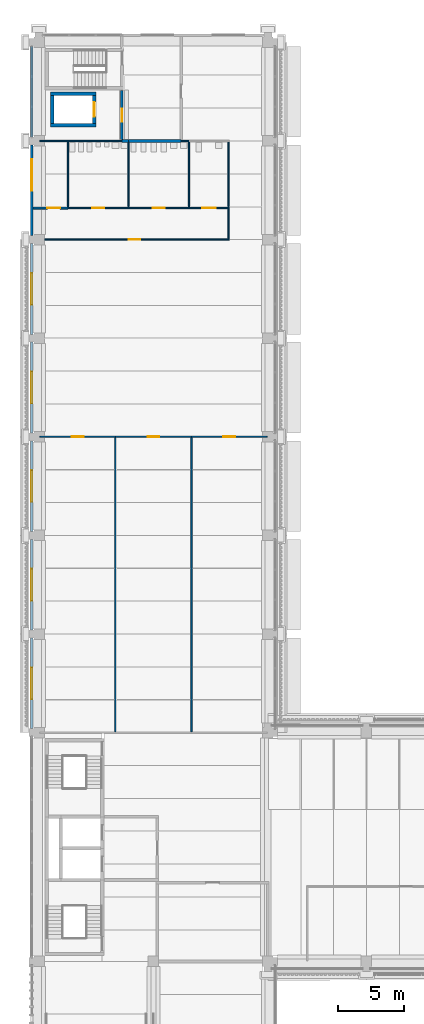
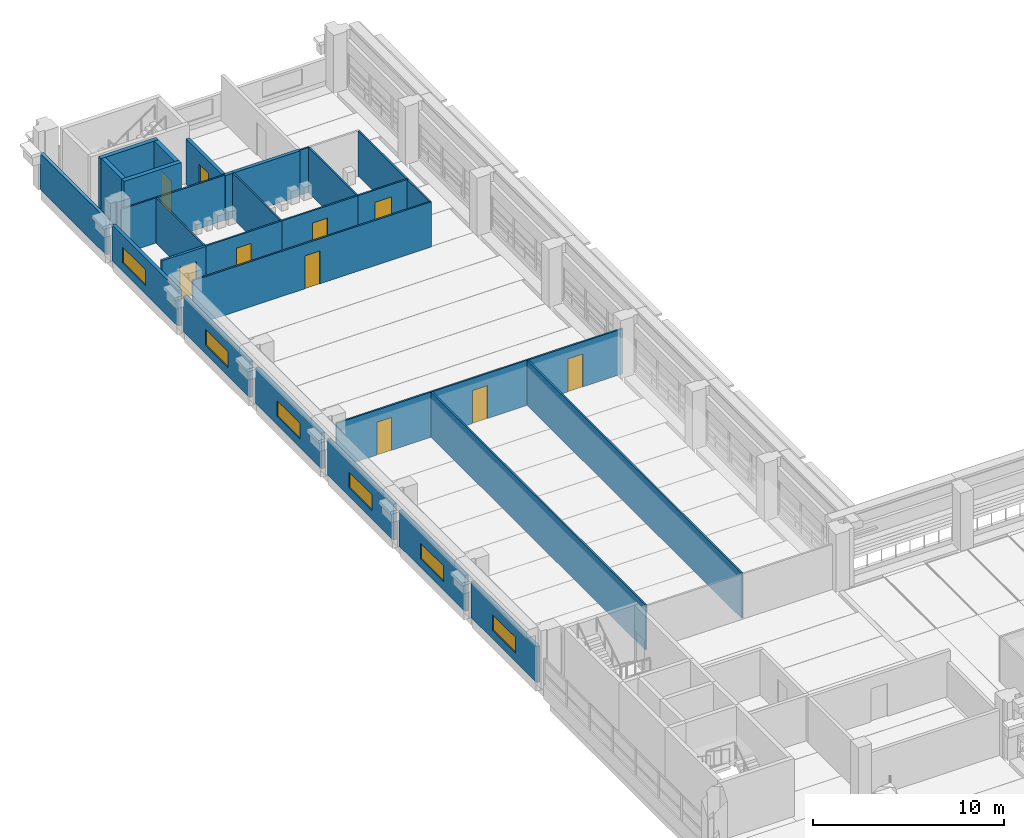
# One storey, part 33 of 71: 32 walls, 10 doors, 6 windows, 16 openings.
"""IFC4 building model written with IfcOpenShell, lengths in metres."""

from ifc_helpers import new_model, si_unit, direction, frame, frame_2d, origin, place, context, subcontext, project, spatial, rectangle, extrude, material, layer, layer_set, type_object, element, fill, save


model = new_model("IFC4")

# Units and contexts
model_context = context("Model", 3, precision=1e-05, world=origin(), true_north=direction((0.0, 1.0)))
body_context = subcontext(model_context, "Body", "Model", "MODEL_VIEW")
ifc_project = project(units=[si_unit("LENGTHUNIT", "METRE"), si_unit("AREAUNIT", "SQUARE_METRE"), si_unit("VOLUMEUNIT", "CUBIC_METRE"), si_unit("PLANEANGLEUNIT", "RADIAN"), si_unit("MASSUNIT", "GRAM", prefix="KILO")], contexts=[model_context])

# Site, building, storey
site_placement = place(None, origin())
site = spatial("IfcSite", under=ifc_project, at=site_placement, CompositionType="ELEMENT")
building_placement = place(site_placement, origin())
building = spatial("IfcBuilding", under=site, at=building_placement, Name="Cour d'Honneur Mobility Palace", CompositionType="ELEMENT")
storey_placement = place(building_placement, frame((0.0, 0.0, 15.60009765625)))
storey = spatial("IfcBuildingStorey", under=building, at=storey_placement, Name="L04", CompositionType="ELEMENT", Elevation=15.60009765625)

# Walls
ifc_material_1 = material(Name="Concrete C50", Category="concrete")
ifc_layer_1 = layer(ifc_material_1, 0.25)
ifc_layer_set_1 = layer_set([ifc_layer_1], Name="Concrete C50")
wall_type_1 = type_object("IfcWallType", Name="Lift shaft wall 250", PredefinedType="SHEAR", material=ifc_layer_set_1)
for number, where, z_axis, x_axis, name in (
    (1, (0.875, 108.60009765625, 0.0), (0.0, 0.0, 1.0), (1.0, 0.0, 0.0), "Lift shaft wall WL-NW1 L04"),
    (2, (0.875, 111.0, 0.0), (0.0, 0.0, 1.0), (1.0, 0.0, 0.0), "Lift shaft wall WL-NW2 L04"),
):
    element("IfcWall", number, at=place(storey_placement, frame(where, z_axis=z_axis, x_axis=x_axis)), inside=storey, type_object=wall_type_1, Name=name, PredefinedType="SHEAR", context=body_context, shape_type="SweptSolid", body=[
        extrude(rectangle(XDim=3.449951171875, YDim=0.25, at=frame_2d((1.72509765625, 0.0))), origin(), (0.0, 0.0, 1.0), 3.699951171875),
    ])
wall_1_placement = place(storey_placement, frame((1.0, 108.72509765625, 0.0), z_axis=(0.0, 0.0, 1.0), x_axis=(0.0, 1.0, 0.0)))
element("IfcWall", 3, at=wall_1_placement, inside=storey, type_object=wall_type_1, Name="Lift shaft wall WL-NW6 L04", PredefinedType="SHEAR", context=body_context, shape_type="SweptSolid", body=[
    extrude(rectangle(XDim=2.14990234375, YDim=0.25, at=frame_2d((1.074951171875, 0.0))), origin(), (0.0, 0.0, 1.0), 3.699951171875),
])

# Wall, opening, door
wall_2_placement = place(storey_placement, frame((4.199951171875, 108.72509765625, 0.0), z_axis=(0.0, 0.0, 1.0), x_axis=(0.0, 1.0, 0.0)))
wall_2 = element("IfcWall", 4, at=wall_2_placement, inside=storey, type_object=wall_type_1, Name="Lift shaft wall WL-NW7 L04", PredefinedType="SHEAR", context=body_context, shape_type="SweptSolid", body=[
    extrude(rectangle(XDim=2.14990234375, YDim=0.25, at=frame_2d((1.074951171875, 0.0))), origin(), (0.0, 0.0, 1.0), 3.699951171875),
])
opening_1_placement = place(wall_2_placement, frame((0.52490234375, 0.0, 0.0)))
opening_1 = element("IfcOpeningElement", 5, at=opening_1_placement, cuts=wall_2, Name="Opening LD57", PredefinedType="OPENING", context=body_context, shape_type="SweptSolid", body=[
    extrude(rectangle(XDim=1.10009765625, YDim=2.10009765625, at=frame_2d((0.550048828125, 1.050048828125))), frame((0.0, 0.135009765625, 0.0), z_axis=(0.0, -1.0, 0.0), x_axis=(1.0, 0.0, 0.0)), (0.0, 0.0, 1.0), 0.27001953125),
])
ifc_material_2 = material(Name="Stainless steel", Category="steel")
door_type_1 = type_object("IfcDoorType", Name="Landing door 1100 x 2100", OperationType="SLIDING_TO_LEFT", PredefinedType="DOOR", material=ifc_material_2)
door_1_placement = place(opening_1_placement, origin())
door_1 = element("IfcDoor", 6, at=door_1_placement, inside=storey, type_object=door_type_1, Name="Landing door LF-NW1 L04", OperationType="SLIDING_TO_LEFT", OverallHeight=2.10009765625, OverallWidth=1.10009765625, PredefinedType="DOOR", context=body_context, shape_type="SweptSolid", body=[
    extrude(rectangle(XDim=1.10009765625, YDim=2.10009765625, at=frame_2d((0.550048828125, 1.050048828125))), frame((0.0, 0.02490234375, 0.0), z_axis=(0.0, -1.0, 0.0), x_axis=(1.0, 0.0, 0.0)), (0.0, 0.0, 1.0), 0.050048828125),
])
fill(opening_1, door_1)

ifc_material_3 = material(Name="Concrete C50", Category="concrete")
ifc_layer_2 = layer(ifc_material_3, 0.199951171875)
ifc_layer_set_2 = layer_set([ifc_layer_2], Name="Concrete C50")
wall_type_2 = type_object("IfcWallType", Name="Load-bearing lobby wall 200 rated EI 120", PredefinedType="PARTITIONING", material=ifc_layer_set_2)
wall_3_placement = place(storey_placement, frame((6.300048828125, 111.22509765625, 0.0), z_axis=(0.0, 0.0, 1.0), x_axis=(0.0, -1.0, 0.0)))
wall_3 = element("IfcWall", 7, at=wall_3_placement, inside=storey, type_object=wall_type_2, Name="Partition 106", PredefinedType="PARTITIONING", context=body_context, shape_type="SweptSolid", body=[
    extrude(rectangle(XDim=3.72509765625, YDim=0.199951171875, at=frame_2d((1.862548828125, 0.0))), origin(), (0.0, 0.0, 1.0), 2.8798828125),
])
opening_2_placement = place(wall_3_placement, frame((1.362548828125, 0.0, 0.0)))
opening_2 = element("IfcOpeningElement", 8, at=opening_2_placement, cuts=wall_3, Name="Opening D0438", PredefinedType="OPENING", context=body_context, shape_type="SweptSolid", body=[
    extrude(rectangle(XDim=1.0, YDim=2.10009765625, at=frame_2d((0.5, 1.050048828125))), frame((0.0, 0.10986328125, 0.0), z_axis=(0.0, -1.0, 0.0), x_axis=(1.0, 0.0, 0.0)), (0.0, 0.0, 1.0), 0.219970703125),
])
ifc_material_4 = material(Name="Galvanised steel", Category="steel")
door_type_2 = type_object("IfcDoorType", Name="Fire door FD120 1000 x 2100", OperationType="SINGLE_SWING_LEFT", PredefinedType="DOOR", material=ifc_material_4)
door_2_placement = place(opening_2_placement, origin())
door_2 = element("IfcDoor", 9, at=door_2_placement, inside=storey, type_object=door_type_2, Name="Door Lift Lobby", OperationType="SINGLE_SWING_RIGHT", OverallHeight=2.10009765625, OverallWidth=1.0, PredefinedType="DOOR", context=body_context, shape_type="SweptSolid", body=[
    extrude(rectangle(XDim=1.0, YDim=2.10009765625, at=frame_2d((0.5, 1.050048828125))), frame((0.0, 0.02490234375, 0.0), z_axis=(0.0, -1.0, 0.0), x_axis=(1.0, 0.0, 0.0)), (0.0, 0.0, 1.0), 0.050048828125),
])
fill(opening_2, door_2)

# Walls
ifc_material_5 = material(Name="Gypsum plasterboard")
ifc_layer_3 = layer(ifc_material_5, 0.10009765625)
ifc_layer_set_3 = layer_set([ifc_layer_3], Name="Gypsum plasterboard")
wall_type_3 = type_object("IfcWallType", Name="Partition 100", PredefinedType="PARTITIONING", material=ifc_layer_set_3)
for number, where, z_axis, x_axis, name in (
    (10, (5.800048828125, 62.449951171875, 0.0), (0.0, 0.0, 1.0), (0.0, 1.0, 0.0), "Partition 060"),
    (11, (11.60009765625, 62.449951171875, 0.0), (0.0, 0.0, 1.0), (0.0, 1.0, 0.0), "Partition 062"),
):
    element("IfcWall", number, at=place(storey_placement, frame(where, z_axis=z_axis, x_axis=x_axis)), inside=storey, type_object=wall_type_3, Name=name, PredefinedType="PARTITIONING", context=body_context, shape_type="SweptSolid", body=[
        extrude(rectangle(XDim=22.400146484375, YDim=0.10009765625, at=frame_2d((11.2001953125, 0.0))), origin(), (0.0, 0.0, 1.0), 2.8798828125),
    ])

# Wall, opening, door
wall_4_placement = place(storey_placement, frame((5.800048828125, 84.89990234375, 0.0), z_axis=(0.0, 0.0, 1.0), x_axis=(-1.0, 0.0, 0.0)))
wall_4 = element("IfcWall", 12, at=wall_4_placement, inside=storey, type_object=wall_type_3, Name="Partition 066", PredefinedType="PARTITIONING", context=body_context, shape_type="SweptSolid", body=[
    extrude(rectangle(XDim=5.739990234375, YDim=0.10009765625, at=frame_2d((2.8701171875, 0.0))), origin(), (0.0, 0.0, 1.0), 2.8798828125),
])
opening_3_placement = place(wall_4_placement, frame((2.419921875, 0.0, 0.0)))
opening_3 = element("IfcOpeningElement", 13, at=opening_3_placement, cuts=wall_4, Name="Opening D0421", PredefinedType="OPENING", context=body_context, shape_type="SweptSolid", body=[
    extrude(rectangle(XDim=0.89990234375, YDim=2.10009765625, at=frame_2d((0.449951171875, 1.050048828125))), frame((0.0, 0.06005859375, 0.0), z_axis=(0.0, -1.0, 0.0), x_axis=(1.0, 0.0, 0.0)), (0.0, 0.0, 1.0), 0.1201171875),
])
ifc_material_6 = material(Name="Solid timber", Category="wood")
door_type_3 = type_object("IfcDoorType", Name="Single door 900 x 2100", OperationType="SINGLE_SWING_LEFT", PredefinedType="DOOR", material=ifc_material_6)
door_3_placement = place(opening_3_placement, origin())
door_3 = element("IfcDoor", 14, at=door_3_placement, inside=storey, type_object=door_type_3, Name="Door Cycle Academy Classroom", OperationType="SINGLE_SWING_RIGHT", OverallHeight=2.10009765625, OverallWidth=0.89990234375, PredefinedType="DOOR", context=body_context, shape_type="SweptSolid", body=[
    extrude(rectangle(XDim=0.89990234375, YDim=2.10009765625, at=frame_2d((0.449951171875, 1.050048828125))), frame((0.0, 0.02490234375, 0.0), z_axis=(0.0, -1.0, 0.0), x_axis=(1.0, 0.0, 0.0)), (0.0, 0.0, 1.0), 0.050048828125),
])
fill(opening_3, door_3)

wall_5_placement = place(storey_placement, frame((11.60009765625, 84.89990234375, 0.0), z_axis=(0.0, 0.0, 1.0), x_axis=(-1.0, 0.0, 0.0)))
wall_5 = element("IfcWall", 15, at=wall_5_placement, inside=storey, type_object=wall_type_3, Name="Partition 067", PredefinedType="PARTITIONING", context=body_context, shape_type="SweptSolid", body=[
    extrude(rectangle(XDim=5.800048828125, YDim=0.10009765625, at=frame_2d((2.89990234375, 0.0))), origin(), (0.0, 0.0, 1.0), 2.8798828125),
])
opening_4_placement = place(wall_5_placement, frame((2.449951171875, 0.0, 0.0)))
opening_4 = element("IfcOpeningElement", 16, at=opening_4_placement, cuts=wall_5, Name="Opening D0422", PredefinedType="OPENING", context=body_context, shape_type="SweptSolid", body=[
    extrude(rectangle(XDim=0.89990234375, YDim=2.10009765625, at=frame_2d((0.449951171875, 1.050048828125))), frame((0.0, 0.06005859375, 0.0), z_axis=(0.0, -1.0, 0.0), x_axis=(1.0, 0.0, 0.0)), (0.0, 0.0, 1.0), 0.1201171875),
])
door_4_placement = place(opening_4_placement, origin())
door_4 = element("IfcDoor", 17, at=door_4_placement, inside=storey, type_object=door_type_3, Name="Door Cycle Club Room", OperationType="SINGLE_SWING_RIGHT", OverallHeight=2.10009765625, OverallWidth=0.89990234375, PredefinedType="DOOR", context=body_context, shape_type="SweptSolid", body=[
    extrude(rectangle(XDim=0.89990234375, YDim=2.10009765625, at=frame_2d((0.449951171875, 1.050048828125))), frame((0.0, 0.02490234375, 0.0), z_axis=(0.0, -1.0, 0.0), x_axis=(1.0, 0.0, 0.0)), (0.0, 0.0, 1.0), 0.050048828125),
])
fill(opening_4, door_4)

wall_6_placement = place(storey_placement, frame((17.340087890625, 84.89990234375, 0.0), z_axis=(0.0, 0.0, 1.0), x_axis=(-1.0, 0.0, 0.0)))
wall_6 = element("IfcWall", 18, at=wall_6_placement, inside=storey, type_object=wall_type_3, Name="Partition 068", PredefinedType="PARTITIONING", context=body_context, shape_type="SweptSolid", body=[
    extrude(rectangle(XDim=5.739990234375, YDim=0.10009765625, at=frame_2d((2.8701171875, 0.0))), origin(), (0.0, 0.0, 1.0), 2.8798828125),
])
opening_5_placement = place(wall_6_placement, frame((2.419921875, 0.0, 0.0)))
opening_5 = element("IfcOpeningElement", 19, at=opening_5_placement, cuts=wall_6, Name="Opening D0423", PredefinedType="OPENING", context=body_context, shape_type="SweptSolid", body=[
    extrude(rectangle(XDim=0.89990234375, YDim=2.10009765625, at=frame_2d((0.449951171875, 1.050048828125))), frame((0.0, 0.06005859375, 0.0), z_axis=(0.0, -1.0, 0.0), x_axis=(1.0, 0.0, 0.0)), (0.0, 0.0, 1.0), 0.1201171875),
])
door_5_placement = place(opening_5_placement, origin())
door_5 = element("IfcDoor", 20, at=door_5_placement, inside=storey, type_object=door_type_3, Name="Door Cyclists Lounge", OperationType="SINGLE_SWING_LEFT", OverallHeight=2.10009765625, OverallWidth=0.89990234375, PredefinedType="DOOR", context=body_context, shape_type="SweptSolid", body=[
    extrude(rectangle(XDim=0.89990234375, YDim=2.10009765625, at=frame_2d((0.449951171875, 1.050048828125))), frame((0.0, 0.02490234375, 0.0), z_axis=(0.0, -1.0, 0.0), x_axis=(1.0, 0.0, 0.0)), (0.0, 0.0, 1.0), 0.050048828125),
])
fill(opening_5, door_5)

wall_7_placement = place(storey_placement, frame((0.06005859375, 99.89990234375, 0.0), z_axis=(0.0, 0.0, 1.0), x_axis=(1.0, 0.0, 0.0)))
wall_7 = element("IfcWall", 21, at=wall_7_placement, inside=storey, type_object=wall_type_3, Name="Partition 071", PredefinedType="PARTITIONING", context=body_context, shape_type="SweptSolid", body=[
    extrude(rectangle(XDim=14.389892578125, YDim=0.10009765625, at=frame_2d((7.19482421875, 0.0))), origin(), (0.0, 0.0, 1.0), 2.8798828125),
])
opening_6_placement = place(wall_7_placement, frame((6.7451171875, 0.0, 0.0)))
opening_6 = element("IfcOpeningElement", 22, at=opening_6_placement, cuts=wall_7, Name="Opening D0424", PredefinedType="OPENING", context=body_context, shape_type="SweptSolid", body=[
    extrude(rectangle(XDim=0.89990234375, YDim=2.10009765625, at=frame_2d((0.449951171875, 1.050048828125))), frame((0.0, 0.06005859375, 0.0), z_axis=(0.0, -1.0, 0.0), x_axis=(1.0, 0.0, 0.0)), (0.0, 0.0, 1.0), 0.1201171875),
])
door_6_placement = place(opening_6_placement, origin())
door_6 = element("IfcDoor", 23, at=door_6_placement, inside=storey, type_object=door_type_3, Name="Door WC Corridor West", OperationType="SINGLE_SWING_RIGHT", OverallHeight=2.10009765625, OverallWidth=0.89990234375, PredefinedType="DOOR", context=body_context, shape_type="SweptSolid", body=[
    extrude(rectangle(XDim=0.89990234375, YDim=2.10009765625, at=frame_2d((0.449951171875, 1.050048828125))), frame((0.0, 0.02490234375, 0.0), z_axis=(0.0, -1.0, 0.0), x_axis=(1.0, 0.0, 0.0)), (0.0, 0.0, 1.0), 0.050048828125),
])
fill(opening_6, door_6)

# Walls
wall_8_placement = place(storey_placement, frame((14.39990234375, 99.949951171875, 0.0), z_axis=(0.0, 0.0, 1.0), x_axis=(0.0, 1.0, 0.0)))
element("IfcWall", 24, at=wall_8_placement, inside=storey, type_object=wall_type_3, Name="Partition 072", PredefinedType="PARTITIONING", context=body_context, shape_type="SweptSolid", body=[
    extrude(rectangle(XDim=2.300048828125, YDim=0.10009765625, at=frame_2d((1.14990234375, 0.0))), origin(), (0.0, 0.0, 1.0), 2.8798828125),
])
wall_9_placement = place(storey_placement, frame((2.199951171875, 102.375, 0.0), z_axis=(0.0, 0.0, 1.0), x_axis=(0.0, 1.0, 0.0)))
element("IfcWall", 25, at=wall_9_placement, inside=storey, type_object=wall_type_3, Name="Partition 076", PredefinedType="PARTITIONING", context=body_context, shape_type="SweptSolid", body=[
    extrude(rectangle(XDim=4.97509765625, YDim=0.10009765625, at=frame_2d((2.487548828125, 0.0))), origin(), (0.0, 0.0, 1.0), 2.8798828125),
])

# Wall, opening, door
wall_10_placement = place(storey_placement, frame((6.800048828125, 102.300048828125, 0.0), z_axis=(0.0, 0.0, 1.0), x_axis=(-1.0, 0.0, 0.0)))
wall_10 = element("IfcWall", 26, at=wall_10_placement, inside=storey, type_object=wall_type_3, Name="Partition 077", PredefinedType="PARTITIONING", context=body_context, shape_type="SweptSolid", body=[
    extrude(rectangle(XDim=4.60009765625, YDim=0.10009765625, at=frame_2d((2.300048828125, 0.0))), origin(), (0.0, 0.0, 1.0), 2.8798828125),
])
opening_7_placement = place(wall_10_placement, frame((1.85009765625, 0.0, 0.0)))
opening_7 = element("IfcOpeningElement", 27, at=opening_7_placement, cuts=wall_10, Name="Opening D0426", PredefinedType="OPENING", context=body_context, shape_type="SweptSolid", body=[
    extrude(rectangle(XDim=0.89990234375, YDim=2.10009765625, at=frame_2d((0.449951171875, 1.050048828125))), frame((0.0, 0.06005859375, 0.0), z_axis=(0.0, -1.0, 0.0), x_axis=(1.0, 0.0, 0.0)), (0.0, 0.0, 1.0), 0.1201171875),
])
door_7_placement = place(opening_7_placement, origin())
door_7 = element("IfcDoor", 28, at=door_7_placement, inside=storey, type_object=door_type_3, Name="Door WC Men West", OperationType="SINGLE_SWING_LEFT", OverallHeight=2.10009765625, OverallWidth=0.89990234375, PredefinedType="DOOR", context=body_context, shape_type="SweptSolid", body=[
    extrude(rectangle(XDim=0.89990234375, YDim=2.10009765625, at=frame_2d((0.449951171875, 1.050048828125))), frame((0.0, 0.02490234375, 0.0), z_axis=(0.0, -1.0, 0.0), x_axis=(1.0, 0.0, 0.0)), (0.0, 0.0, 1.0), 0.050048828125),
])
fill(opening_7, door_7)

# Wall
wall_11_placement = place(storey_placement, frame((6.800048828125, 102.35009765625, 0.0), z_axis=(0.0, 0.0, 1.0), x_axis=(0.0, 1.0, 0.0)))
element("IfcWall", 29, at=wall_11_placement, inside=storey, type_object=wall_type_3, Name="Partition 078", PredefinedType="PARTITIONING", context=body_context, shape_type="SweptSolid", body=[
    extrude(rectangle(XDim=4.949951171875, YDim=0.10009765625, at=frame_2d((2.47509765625, 0.0))), origin(), (0.0, 0.0, 1.0), 2.8798828125),
])

# Wall, opening, door
wall_12_placement = place(storey_placement, frame((11.39990234375, 102.300048828125, 0.0), z_axis=(0.0, 0.0, 1.0), x_axis=(-1.0, 0.0, 0.0)))
wall_12 = element("IfcWall", 30, at=wall_12_placement, inside=storey, type_object=wall_type_3, Name="Partition 079", PredefinedType="PARTITIONING", context=body_context, shape_type="SweptSolid", body=[
    extrude(rectangle(XDim=4.599853515625, YDim=0.10009765625, at=frame_2d((2.2998046875, 0.0))), origin(), (0.0, 0.0, 1.0), 2.8798828125),
])
opening_8_placement = place(wall_12_placement, frame((1.85009765625, 0.0, 0.0)))
opening_8 = element("IfcOpeningElement", 31, at=opening_8_placement, cuts=wall_12, Name="Opening D0427", PredefinedType="OPENING", context=body_context, shape_type="SweptSolid", body=[
    extrude(rectangle(XDim=0.89990234375, YDim=2.10009765625, at=frame_2d((0.449951171875, 1.050048828125))), frame((0.0, 0.06005859375, 0.0), z_axis=(0.0, -1.0, 0.0), x_axis=(1.0, 0.0, 0.0)), (0.0, 0.0, 1.0), 0.1201171875),
])
door_8_placement = place(opening_8_placement, origin())
door_8 = element("IfcDoor", 32, at=door_8_placement, inside=storey, type_object=door_type_3, Name="Door WC Women West", OperationType="SINGLE_SWING_LEFT", OverallHeight=2.10009765625, OverallWidth=0.89990234375, PredefinedType="DOOR", context=body_context, shape_type="SweptSolid", body=[
    extrude(rectangle(XDim=0.89990234375, YDim=2.10009765625, at=frame_2d((0.449951171875, 1.050048828125))), frame((0.0, 0.02490234375, 0.0), z_axis=(0.0, -1.0, 0.0), x_axis=(1.0, 0.0, 0.0)), (0.0, 0.0, 1.0), 0.050048828125),
])
fill(opening_8, door_8)

# Wall
wall_13_placement = place(storey_placement, frame((11.39990234375, 102.35009765625, 0.0), z_axis=(0.0, 0.0, 1.0), x_axis=(0.0, 1.0, 0.0)))
element("IfcWall", 33, at=wall_13_placement, inside=storey, type_object=wall_type_3, Name="Partition 080", PredefinedType="PARTITIONING", context=body_context, shape_type="SweptSolid", body=[
    extrude(rectangle(XDim=5.0, YDim=0.10009765625, at=frame_2d((2.5, 0.0))), origin(), (0.0, 0.0, 1.0), 2.8798828125),
])

# Wall, opening, door
wall_14_placement = place(storey_placement, frame((14.449951171875, 102.300048828125, 0.0), z_axis=(0.0, 0.0, 1.0), x_axis=(-1.0, 0.0, 0.0)))
wall_14 = element("IfcWall", 34, at=wall_14_placement, inside=storey, type_object=wall_type_3, Name="Partition 081", PredefinedType="PARTITIONING", context=body_context, shape_type="SweptSolid", body=[
    extrude(rectangle(XDim=3.050048828125, YDim=0.10009765625, at=frame_2d((1.52490234375, 0.0))), origin(), (0.0, 0.0, 1.0), 2.8798828125),
])
opening_9_placement = place(wall_14_placement, frame((1.02490234375, 0.0, 0.0)))
opening_9 = element("IfcOpeningElement", 35, at=opening_9_placement, cuts=wall_14, Name="Opening D0428", PredefinedType="OPENING", context=body_context, shape_type="SweptSolid", body=[
    extrude(rectangle(XDim=1.0, YDim=2.10009765625, at=frame_2d((0.5, 1.050048828125))), frame((0.0, 0.06005859375, 0.0), z_axis=(0.0, -1.0, 0.0), x_axis=(1.0, 0.0, 0.0)), (0.0, 0.0, 1.0), 0.1201171875),
])
ifc_material_7 = material(Name="Solid timber", Category="wood")
door_type_4 = type_object("IfcDoorType", Name="Accessible door 1000 x 2100", OperationType="SINGLE_SWING_LEFT", PredefinedType="DOOR", material=ifc_material_7)
door_9_placement = place(opening_9_placement, origin())
door_9 = element("IfcDoor", 36, at=door_9_placement, inside=storey, type_object=door_type_4, Name="Door Accessible WC West", OperationType="SINGLE_SWING_LEFT", OverallHeight=2.10009765625, OverallWidth=1.0, PredefinedType="DOOR", context=body_context, shape_type="SweptSolid", body=[
    extrude(rectangle(XDim=1.0, YDim=2.10009765625, at=frame_2d((0.5, 1.050048828125))), frame((0.0, 0.02490234375, 0.0), z_axis=(0.0, -1.0, 0.0), x_axis=(1.0, 0.0, 0.0)), (0.0, 0.0, 1.0), 0.050048828125),
])
fill(opening_9, door_9)

# Walls
wall_15_placement = place(storey_placement, frame((14.39990234375, 102.35009765625, 0.0), z_axis=(0.0, 0.0, 1.0), x_axis=(0.0, 1.0, 0.0)))
element("IfcWall", 37, at=wall_15_placement, inside=storey, type_object=wall_type_3, Name="Partition 082", PredefinedType="PARTITIONING", context=body_context, shape_type="SweptSolid", body=[
    extrude(rectangle(XDim=5.0, YDim=0.10009765625, at=frame_2d((2.5, 0.0))), origin(), (0.0, 0.0, 1.0), 2.8798828125),
])
wall_16_placement = place(storey_placement, frame((2.199951171875, 107.39990234375, 0.0), z_axis=(0.0, 0.0, 1.0), x_axis=(-1.0, 0.0, 0.0)))
element("IfcWall", 38, at=wall_16_placement, inside=storey, type_object=wall_type_3, Name="Partition 088", PredefinedType="PARTITIONING", context=body_context, shape_type="SweptSolid", body=[
    extrude(rectangle(XDim=2.139892578125, YDim=0.10009765625, at=frame_2d((1.06982421875, 0.0))), origin(), (0.0, 0.0, 1.0), 2.8798828125),
])
wall_17_placement = place(storey_placement, frame((6.300048828125, 107.39990234375, 0.0), z_axis=(0.0, 0.0, 1.0), x_axis=(-1.0, 0.0, 0.0)))
element("IfcWall", 39, at=wall_17_placement, inside=storey, type_object=wall_type_3, Name="Partition 089", PredefinedType="PARTITIONING", context=body_context, shape_type="SweptSolid", body=[
    extrude(rectangle(XDim=4.10009765625, YDim=0.10009765625, at=frame_2d((2.050048828125, 0.0))), origin(), (0.0, 0.0, 1.0), 2.8798828125),
])
wall_18_placement = place(storey_placement, frame((11.39990234375, 107.39990234375, 0.0), z_axis=(0.0, 0.0, 1.0), x_axis=(-1.0, 0.0, 0.0)))
element("IfcWall", 40, at=wall_18_placement, inside=storey, type_object=wall_type_3, Name="Partition 093", PredefinedType="PARTITIONING", context=body_context, shape_type="SweptSolid", body=[
    extrude(rectangle(XDim=0.599853515625, YDim=0.10009765625, at=frame_2d((0.2998046875, 0.0))), origin(), (0.0, 0.0, 1.0), 2.8798828125),
])

# Wall, opening, door
ifc_material_8 = material(Name="Gypsum plasterboard")
ifc_layer_4 = layer(ifc_material_8, 0.14990234375)
ifc_layer_set_4 = layer_set([ifc_layer_4], Name="Gypsum plasterboard")
wall_type_4 = type_object("IfcWallType", Name="Partition 150 rated EI 60", PredefinedType="PARTITIONING", material=ifc_layer_set_4)
wall_19_placement = place(storey_placement, frame((2.199951171875, 102.300048828125, 0.0), z_axis=(0.0, 0.0, 1.0), x_axis=(-1.0, 0.0, 0.0)))
wall_19 = element("IfcWall", 41, at=wall_19_placement, inside=storey, type_object=wall_type_4, Name="Partition 075", PredefinedType="PARTITIONING", context=body_context, shape_type="SweptSolid", body=[
    extrude(rectangle(XDim=2.64990234375, YDim=0.14990234375, at=frame_2d((1.324951171875, 0.0))), origin(), (0.0, 0.0, 1.0), 2.8798828125),
])
opening_10_placement = place(wall_19_placement, frame((0.570068359375, 0.0, 0.0)))
opening_10 = element("IfcOpeningElement", 42, at=opening_10_placement, cuts=wall_19, Name="Opening D0425", PredefinedType="OPENING", context=body_context, shape_type="SweptSolid", body=[
    extrude(rectangle(XDim=1.0, YDim=2.10009765625, at=frame_2d((0.5, 1.050048828125))), frame((0.0, 0.0849609375, 0.0), z_axis=(0.0, -1.0, 0.0), x_axis=(1.0, 0.0, 0.0)), (0.0, 0.0, 1.0), 0.169921875),
])
ifc_material_9 = material(Name="Galvanised steel", Category="steel")
door_type_5 = type_object("IfcDoorType", Name="Fire door FD60 1000 x 2100", OperationType="SINGLE_SWING_LEFT", PredefinedType="DOOR", material=ifc_material_9)
door_10_placement = place(opening_10_placement, origin())
door_10 = element("IfcDoor", 43, at=door_10_placement, inside=storey, type_object=door_type_5, Name="Door Cleaner's Store West", OperationType="SINGLE_SWING_LEFT", OverallHeight=2.10009765625, OverallWidth=1.0, PredefinedType="DOOR", context=body_context, shape_type="SweptSolid", body=[
    extrude(rectangle(XDim=1.0, YDim=2.10009765625, at=frame_2d((0.5, 1.050048828125))), frame((0.0, 0.02490234375, 0.0), z_axis=(0.0, -1.0, 0.0), x_axis=(1.0, 0.0, 0.0)), (0.0, 0.0, 1.0), 0.050048828125),
])
fill(opening_10, door_10)

# Walls
ifc_material_10 = material(Name="Gypsum plasterboard")
ifc_layer_5 = layer(ifc_material_10, 0.199951171875)
ifc_layer_set_5 = layer_set([ifc_layer_5], Name="Gypsum plasterboard")
wall_type_5 = type_object("IfcWallType", Name="Partition 200 rated EI 120", PredefinedType="PARTITIONING", material=ifc_layer_set_5)
wall_20_placement = place(storey_placement, frame((6.300048828125, 107.39990234375, 0.0), z_axis=(0.0, 0.0, 1.0), x_axis=(1.0, 0.0, 0.0)))
element("IfcWall", 44, at=wall_20_placement, inside=storey, type_object=wall_type_5, Name="Partition 090", PredefinedType="PARTITIONING", context=body_context, shape_type="SweptSolid", body=[
    extrude(rectangle(XDim=0.5, YDim=0.199951171875, at=frame_2d((0.25, 0.0))), origin(), (0.0, 0.0, 1.0), 2.8798828125),
])
wall_21_placement = place(storey_placement, frame((6.800048828125, 107.39990234375, 0.0), z_axis=(0.0, 0.0, 1.0), x_axis=(1.0, 0.0, 0.0)))
element("IfcWall", 45, at=wall_21_placement, inside=storey, type_object=wall_type_5, Name="Partition 091", PredefinedType="PARTITIONING", context=body_context, shape_type="SweptSolid", body=[
    extrude(rectangle(XDim=4.0, YDim=0.199951171875, at=frame_2d((2.0, 0.0))), origin(), (0.0, 0.0, 1.0), 2.8798828125),
])
ifc_material_11 = material(Name="Concrete C40", Category="concrete")
ifc_layer_6 = layer(ifc_material_11, 0.199951171875)
ifc_layer_set_6 = layer_set([ifc_layer_6], Name="Concrete C40")
wall_type_6 = type_object("IfcWallType", Name="Spandrel panel", PredefinedType="SOLIDWALL", material=ifc_layer_set_6)
wall_22_placement = place(storey_placement, frame((-0.550048828125, 114.60009765625, 0.0), z_axis=(0.0, 0.0, 1.0), x_axis=(0.0, -1.0, 0.0)))
element("IfcWall", 46, at=wall_22_placement, inside=storey, type_object=wall_type_6, Name="Spandrel panel SW-26", PredefinedType="SOLIDWALL", context=body_context, shape_type="SweptSolid", body=[
    extrude(rectangle(XDim=6.900146484375, YDim=0.199951171875, at=frame_2d((3.4501953125, 0.0))), origin(), (0.0, 0.0, 1.0), 2.2998046875),
])

# Wall, opening, window
wall_23_placement = place(storey_placement, frame((-0.550048828125, 107.10009765625, 0.0), z_axis=(0.0, 0.0, 1.0), x_axis=(0.0, -1.0, 0.0)))
wall_23 = element("IfcWall", 47, at=wall_23_placement, inside=storey, type_object=wall_type_6, Name="Spandrel panel SW-27", PredefinedType="SOLIDWALL", context=body_context, shape_type="SweptSolid", body=[
    extrude(rectangle(XDim=6.900146484375, YDim=0.199951171875, at=frame_2d((3.4501953125, 0.0))), origin(), (0.0, 0.0, 1.0), 2.2998046875),
])
opening_11_placement = place(wall_23_placement, frame((1.10009765625, 0.0, 0.550048828125)))
opening_11 = element("IfcOpeningElement", 48, at=opening_11_placement, cuts=wall_23, Name="Opening W2-27", PredefinedType="OPENING", context=body_context, shape_type="SweptSolid", body=[
    extrude(rectangle(XDim=2.39990234375, YDim=1.0, at=frame_2d((1.199951171875, 0.5))), frame((0.0, 0.10986328125, 0.0), z_axis=(0.0, -1.0, 0.0), x_axis=(1.0, 0.0, 0.0)), (0.0, 0.0, 1.0), 0.219970703125),
])
ifc_material_12 = material(Name="Aluminium frame and glass", Category="aluminium")
window_type = type_object("IfcWindowType", Name="Gallery window W2", PartitioningType="TRIPLE_PANEL_VERTICAL", PredefinedType="WINDOW", material=ifc_material_12)
window_1_placement = place(opening_11_placement, origin())
window_1 = element("IfcWindow", 49, at=window_1_placement, inside=storey, type_object=window_type, Name="Gallery window W2 W2-27", OverallHeight=1.0, OverallWidth=2.39990234375, PartitioningType="SINGLE_PANEL", PredefinedType="WINDOW", context=body_context, shape_type="SweptSolid", body=[
    extrude(rectangle(XDim=2.39990234375, YDim=1.0, at=frame_2d((1.199951171875, 0.5))), frame((0.0, 0.030029296875, 0.0), z_axis=(0.0, -1.0, 0.0), x_axis=(1.0, 0.0, 0.0)), (0.0, 0.0, 1.0), 0.06005859375),
])
fill(opening_11, window_1)

wall_24_placement = place(storey_placement, frame((-0.550048828125, 99.60009765625, 0.0), z_axis=(0.0, 0.0, 1.0), x_axis=(0.0, -1.0, 0.0)))
wall_24 = element("IfcWall", 50, at=wall_24_placement, inside=storey, type_object=wall_type_6, Name="Spandrel panel SW-28", PredefinedType="SOLIDWALL", context=body_context, shape_type="SweptSolid", body=[
    extrude(rectangle(XDim=6.900146484375, YDim=0.199951171875, at=frame_2d((3.4501953125, 0.0))), origin(), (0.0, 0.0, 1.0), 2.2998046875),
])
opening_12_placement = place(wall_24_placement, frame((2.25, 0.0, 0.550048828125)))
opening_12 = element("IfcOpeningElement", 51, at=opening_12_placement, cuts=wall_24, Name="Opening W2-28", PredefinedType="OPENING", context=body_context, shape_type="SweptSolid", body=[
    extrude(rectangle(XDim=2.39990234375, YDim=1.0, at=frame_2d((1.199951171875, 0.5))), frame((0.0, 0.10986328125, 0.0), z_axis=(0.0, -1.0, 0.0), x_axis=(1.0, 0.0, 0.0)), (0.0, 0.0, 1.0), 0.219970703125),
])
window_2_placement = place(opening_12_placement, origin())
window_2 = element("IfcWindow", 52, at=window_2_placement, inside=storey, type_object=window_type, Name="Gallery window W2 W2-28", OverallHeight=1.0, OverallWidth=2.39990234375, PartitioningType="SINGLE_PANEL", PredefinedType="WINDOW", context=body_context, shape_type="SweptSolid", body=[
    extrude(rectangle(XDim=2.39990234375, YDim=1.0, at=frame_2d((1.199951171875, 0.5))), frame((0.0, 0.030029296875, 0.0), z_axis=(0.0, -1.0, 0.0), x_axis=(1.0, 0.0, 0.0)), (0.0, 0.0, 1.0), 0.06005859375),
])
fill(opening_12, window_2)

wall_25_placement = place(storey_placement, frame((-0.550048828125, 92.10009765625, 0.0), z_axis=(0.0, 0.0, 1.0), x_axis=(0.0, -1.0, 0.0)))
wall_25 = element("IfcWall", 53, at=wall_25_placement, inside=storey, type_object=wall_type_6, Name="Spandrel panel SW-29", PredefinedType="SOLIDWALL", context=body_context, shape_type="SweptSolid", body=[
    extrude(rectangle(XDim=6.900146484375, YDim=0.199951171875, at=frame_2d((3.4501953125, 0.0))), origin(), (0.0, 0.0, 1.0), 2.2998046875),
])
opening_13_placement = place(wall_25_placement, frame((2.25, 0.0, 0.550048828125)))
opening_13 = element("IfcOpeningElement", 54, at=opening_13_placement, cuts=wall_25, Name="Opening W2-29", PredefinedType="OPENING", context=body_context, shape_type="SweptSolid", body=[
    extrude(rectangle(XDim=2.39990234375, YDim=1.0, at=frame_2d((1.199951171875, 0.5))), frame((0.0, 0.10986328125, 0.0), z_axis=(0.0, -1.0, 0.0), x_axis=(1.0, 0.0, 0.0)), (0.0, 0.0, 1.0), 0.219970703125),
])
window_3_placement = place(opening_13_placement, origin())
window_3 = element("IfcWindow", 55, at=window_3_placement, inside=storey, type_object=window_type, Name="Gallery window W2 W2-29", OverallHeight=1.0, OverallWidth=2.39990234375, PartitioningType="SINGLE_PANEL", PredefinedType="WINDOW", context=body_context, shape_type="SweptSolid", body=[
    extrude(rectangle(XDim=2.39990234375, YDim=1.0, at=frame_2d((1.199951171875, 0.5))), frame((0.0, 0.030029296875, 0.0), z_axis=(0.0, -1.0, 0.0), x_axis=(1.0, 0.0, 0.0)), (0.0, 0.0, 1.0), 0.06005859375),
])
fill(opening_13, window_3)

wall_26_placement = place(storey_placement, frame((-0.550048828125, 84.60009765625, 0.0), z_axis=(0.0, 0.0, 1.0), x_axis=(0.0, -1.0, 0.0)))
wall_26 = element("IfcWall", 56, at=wall_26_placement, inside=storey, type_object=wall_type_6, Name="Spandrel panel SW-30", PredefinedType="SOLIDWALL", context=body_context, shape_type="SweptSolid", body=[
    extrude(rectangle(XDim=6.900146484375, YDim=0.199951171875, at=frame_2d((3.4501953125, 0.0))), origin(), (0.0, 0.0, 1.0), 2.2998046875),
])
opening_14_placement = place(wall_26_placement, frame((2.25, 0.0, 0.550048828125)))
opening_14 = element("IfcOpeningElement", 57, at=opening_14_placement, cuts=wall_26, Name="Opening W2-30", PredefinedType="OPENING", context=body_context, shape_type="SweptSolid", body=[
    extrude(rectangle(XDim=2.39990234375, YDim=1.0, at=frame_2d((1.199951171875, 0.5))), frame((0.0, 0.10986328125, 0.0), z_axis=(0.0, -1.0, 0.0), x_axis=(1.0, 0.0, 0.0)), (0.0, 0.0, 1.0), 0.219970703125),
])
window_4_placement = place(opening_14_placement, origin())
window_4 = element("IfcWindow", 58, at=window_4_placement, inside=storey, type_object=window_type, Name="Gallery window W2 W2-30", OverallHeight=1.0, OverallWidth=2.39990234375, PartitioningType="SINGLE_PANEL", PredefinedType="WINDOW", context=body_context, shape_type="SweptSolid", body=[
    extrude(rectangle(XDim=2.39990234375, YDim=1.0, at=frame_2d((1.199951171875, 0.5))), frame((0.0, 0.030029296875, 0.0), z_axis=(0.0, -1.0, 0.0), x_axis=(1.0, 0.0, 0.0)), (0.0, 0.0, 1.0), 0.06005859375),
])
fill(opening_14, window_4)

wall_27_placement = place(storey_placement, frame((-0.550048828125, 77.10009765625, 0.0), z_axis=(0.0, 0.0, 1.0), x_axis=(0.0, -1.0, 0.0)))
wall_27 = element("IfcWall", 59, at=wall_27_placement, inside=storey, type_object=wall_type_6, Name="Spandrel panel SW-31", PredefinedType="SOLIDWALL", context=body_context, shape_type="SweptSolid", body=[
    extrude(rectangle(XDim=6.900146484375, YDim=0.199951171875, at=frame_2d((3.4501953125, 0.0))), origin(), (0.0, 0.0, 1.0), 2.2998046875),
])
opening_15_placement = place(wall_27_placement, frame((2.25, 0.0, 0.550048828125)))
opening_15 = element("IfcOpeningElement", 60, at=opening_15_placement, cuts=wall_27, Name="Opening W2-31", PredefinedType="OPENING", context=body_context, shape_type="SweptSolid", body=[
    extrude(rectangle(XDim=2.39990234375, YDim=1.0, at=frame_2d((1.199951171875, 0.5))), frame((0.0, 0.10986328125, 0.0), z_axis=(0.0, -1.0, 0.0), x_axis=(1.0, 0.0, 0.0)), (0.0, 0.0, 1.0), 0.219970703125),
])
window_5_placement = place(opening_15_placement, origin())
window_5 = element("IfcWindow", 61, at=window_5_placement, inside=storey, type_object=window_type, Name="Gallery window W2 W2-31", OverallHeight=1.0, OverallWidth=2.39990234375, PartitioningType="SINGLE_PANEL", PredefinedType="WINDOW", context=body_context, shape_type="SweptSolid", body=[
    extrude(rectangle(XDim=2.39990234375, YDim=1.0, at=frame_2d((1.199951171875, 0.5))), frame((0.0, 0.030029296875, 0.0), z_axis=(0.0, -1.0, 0.0), x_axis=(1.0, 0.0, 0.0)), (0.0, 0.0, 1.0), 0.06005859375),
])
fill(opening_15, window_5)

wall_28_placement = place(storey_placement, frame((-0.550048828125, 69.60009765625, 0.0), z_axis=(0.0, 0.0, 1.0), x_axis=(0.0, -1.0, 0.0)))
wall_28 = element("IfcWall", 62, at=wall_28_placement, inside=storey, type_object=wall_type_6, Name="Spandrel panel SW-32", PredefinedType="SOLIDWALL", context=body_context, shape_type="SweptSolid", body=[
    extrude(rectangle(XDim=6.900146484375, YDim=0.199951171875, at=frame_2d((3.4501953125, 0.0))), origin(), (0.0, 0.0, 1.0), 2.2998046875),
])
opening_16_placement = place(wall_28_placement, frame((2.25, 0.0, 0.550048828125)))
opening_16 = element("IfcOpeningElement", 63, at=opening_16_placement, cuts=wall_28, Name="Opening W2-32", PredefinedType="OPENING", context=body_context, shape_type="SweptSolid", body=[
    extrude(rectangle(XDim=2.39990234375, YDim=1.0, at=frame_2d((1.199951171875, 0.5))), frame((0.0, 0.10986328125, 0.0), z_axis=(0.0, -1.0, 0.0), x_axis=(1.0, 0.0, 0.0)), (0.0, 0.0, 1.0), 0.219970703125),
])
window_6_placement = place(opening_16_placement, origin())
window_6 = element("IfcWindow", 64, at=window_6_placement, inside=storey, type_object=window_type, Name="Gallery window W2 W2-32", OverallHeight=1.0, OverallWidth=2.39990234375, PartitioningType="SINGLE_PANEL", PredefinedType="WINDOW", context=body_context, shape_type="SweptSolid", body=[
    extrude(rectangle(XDim=2.39990234375, YDim=1.0, at=frame_2d((1.199951171875, 0.5))), frame((0.0, 0.030029296875, 0.0), z_axis=(0.0, -1.0, 0.0), x_axis=(1.0, 0.0, 0.0)), (0.0, 0.0, 1.0), 0.06005859375),
])
fill(opening_16, window_6)

save(model, "model.ifc")
